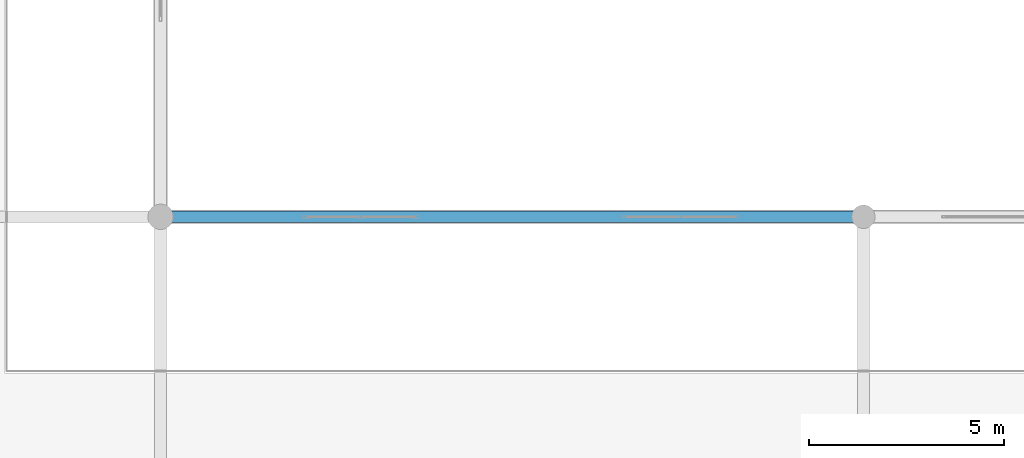
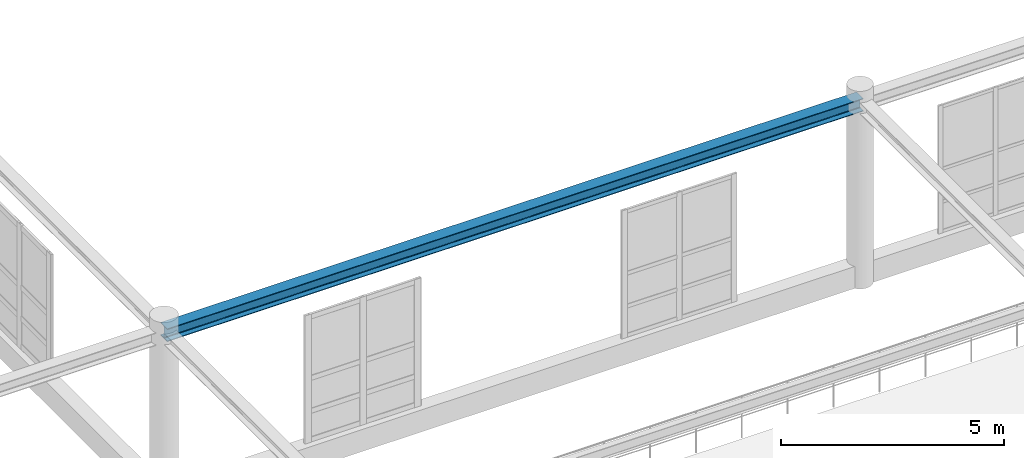
# One storey, part 53 of 197: 1 beam.
"""IFC4 building model written with IfcOpenShell, lengths in metres."""

from ifc_helpers import new_model, si_unit, derived_unit, direction, frame, origin, origin_2d, place, context, subcontext, project, spatial, i_section, extrude, material, material_profile, profile_set, type_object, element, save


model = new_model("IFC4")

# Units and contexts
model_context = context("Model", 3, precision=1e-05, world=origin(), true_north=direction((0.0, 1.0)))
body_context = subcontext(model_context, "Body", "Model", "MODEL_VIEW")
ifc_project = project(units=[si_unit("LENGTHUNIT", "METRE"), si_unit("AREAUNIT", "SQUARE_METRE"), si_unit("VOLUMEUNIT", "CUBIC_METRE"), si_unit("PLANEANGLEUNIT", "RADIAN"), si_unit("MASSUNIT", "GRAM", prefix="KILO"), derived_unit("THERMALTRANSMITTANCEUNIT", [(si_unit("POWERUNIT", "WATT"), 1), (si_unit("LENGTHUNIT", "METRE"), -2), (si_unit("THERMODYNAMICTEMPERATUREUNIT", "KELVIN"), -1)])], contexts=[model_context])

# Site, building, storey
site_placement = place(None, origin())
site = spatial("IfcSite", under=ifc_project, at=site_placement, CompositionType="ELEMENT")
building_placement = place(site_placement, origin())
building = spatial("IfcBuilding", under=site, at=building_placement, Name="Almenara Railside Exhibition Hall", CompositionType="ELEMENT")
storey_placement = place(building_placement, frame((0.0, 0.0, 5.39990234375)))
storey = spatial("IfcBuildingStorey", under=building, at=storey_placement, Name="L01", CompositionType="ELEMENT", Elevation=5.39990234375)

# Beam
ifc_material = material(Name="Structural steel S355JR", Category="steel")
ifc_material_profile = material_profile(ifc_material, i_section(OverallWidth=0.300048828125, OverallDepth=0.35009765625, WebThickness=0.010009765625, FlangeThickness=0.017578125, FilletRadius=0.027099609375, at=origin_2d()), Name="HEA 360")
ifc_profile_set = profile_set([ifc_material_profile], Name="Structural steel S355JR")
beam_type = type_object("IfcBeamType", Name="Steel Concourse Frame Beam HEA 360 S355JR", PredefinedType="BEAM", material=ifc_profile_set)
beam_placement = place(storey_placement, frame((84.0, 54.0, 4.9150390625), z_axis=(1.0, 0.0, 0.0), x_axis=(0.0, 1.0, 0.0)))
element("IfcBeam", 1, at=beam_placement, inside=storey, type_object=beam_type, Name="Beam 0790", PredefinedType="BEAM", context=body_context, shape_type="SweptSolid", body=[
    extrude(i_section(OverallWidth=0.300048828125, OverallDepth=0.35009765625, WebThickness=0.010009765625, FlangeThickness=0.017578125, FilletRadius=0.027099609375, at=origin_2d()), origin(), (0.0, 0.0, 1.0), 18.0),
])

save(model, "model.ifc")
